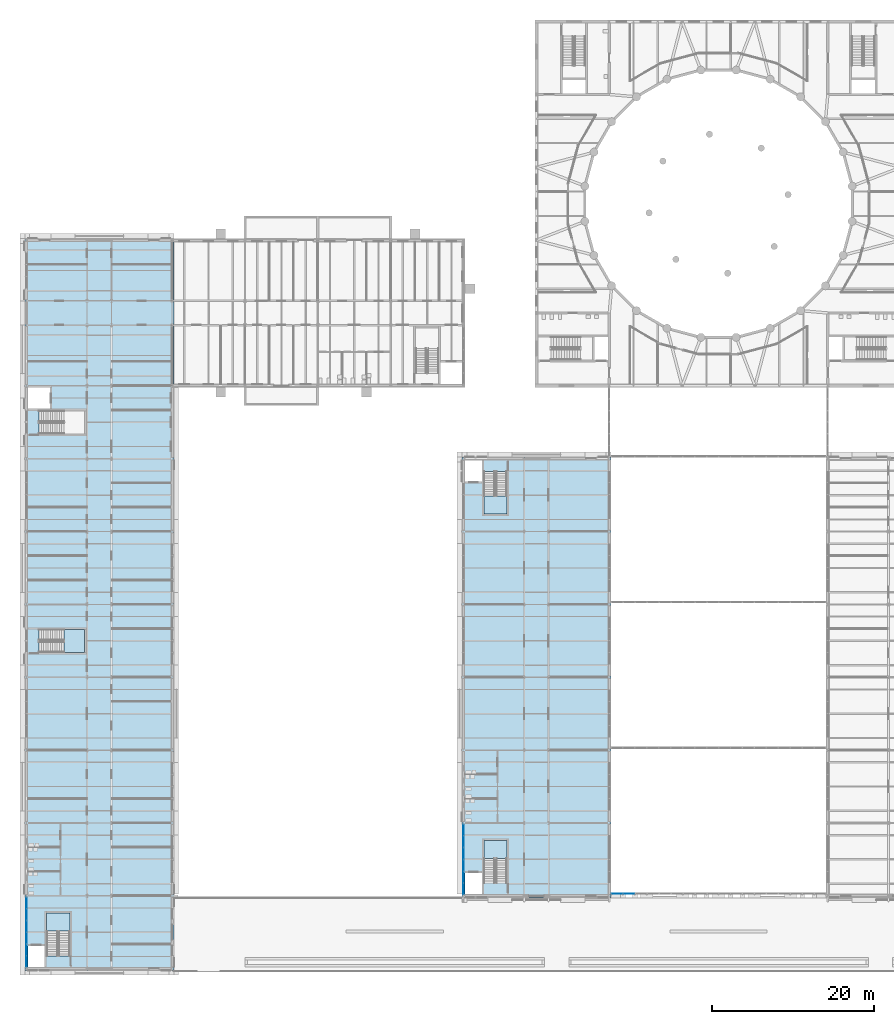
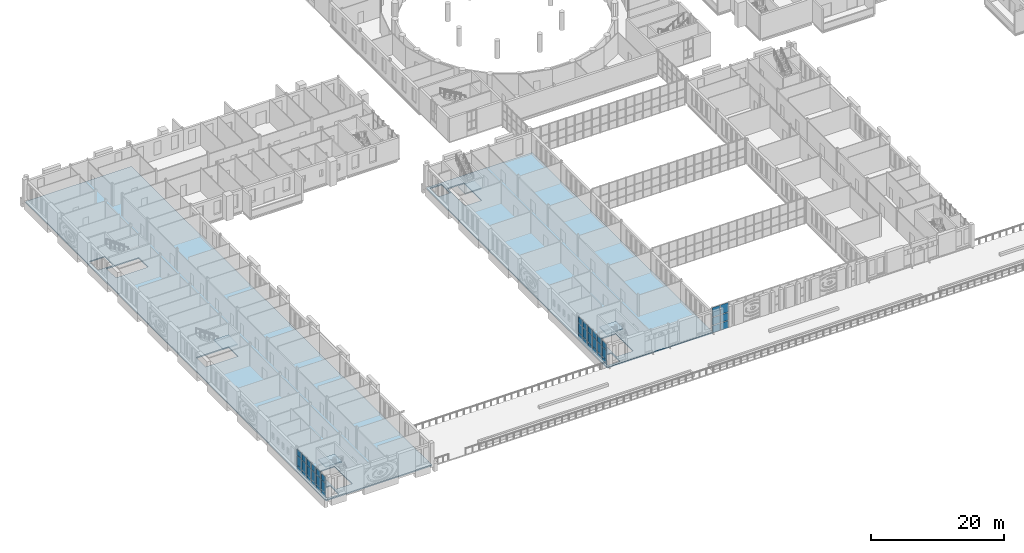
# One storey, part 56 of 134: 42 plates, 6 slabs, 7 elements without a shape of their own.
"""IFC4 building model written with IfcOpenShell, lengths in metres."""

import ifcopenshell
import ifcopenshell.guid

model = None  # the IFC model being written
_history = None  # IfcOwnerHistory: only IFC2X3 demands one
_inside = {}  # id of a spatial element -> (the spatial element, [elements in it])
_under = {}  # id of a project, library or spatial element -> (it, [spatial elements below it])
_declared = {}  # id of a project -> (the project, [libraries it declares])
_typed = {}  # id of a type object -> (the type object, [elements of that type])
_made_of = {}  # id of a material, layer set ... -> (it, [elements and type objects made of it])


def new_model(schema):
    """Start an empty IFC model of exactly this schema.

    Asked for "IFC4X3", IfcOpenShell would pick the latest addendum, in which some entities
    have other attributes; the version numbers below select the first issue.
    IFC2X3 requires an IfcOwnerHistory on every rooted entity: one is made here for all.
    """
    global model, _history
    if schema == "IFC4X3":
        model = ifcopenshell.file(schema_version=(4, 3, 0, 0))
    else:
        model = ifcopenshell.file(schema=schema)
    _inside.clear()
    _under.clear()
    _declared.clear()
    _typed.clear()
    _made_of.clear()
    _history = None
    if model.schema == "IFC2X3":
        org = make("IfcOrganization", Name="unknown")
        user = make(
            "IfcPersonAndOrganization",
            ThePerson=make("IfcPerson", FamilyName="unknown"),
            TheOrganization=org,
        )
        app = make(
            "IfcApplication",
            ApplicationDeveloper=org,
            Version="unknown",
            ApplicationFullName="unknown",
            ApplicationIdentifier="unknown",
        )
        _history = make(
            "IfcOwnerHistory",
            OwningUser=user,
            OwningApplication=app,
            ChangeAction="ADDED",
            CreationDate=0,
        )
    return model


def make(cls, **values):
    """One entity of the class cls with the attributes given. An attribute that is None is left unset."""
    return model.create_entity(
        cls, **{name: value for name, value in values.items() if value is not None}
    )


def rooted(cls, **values):
    """An entity with a GlobalId (a new one), such as an element, a storey or a relation."""
    return make(cls, GlobalId=ifcopenshell.guid.new(), OwnerHistory=_history, **values)


def si_unit(unit_type, name, prefix=None):
    """IfcSIUnit, for example si_unit("LENGTHUNIT", "METRE", prefix="MILLI")."""
    return make("IfcSIUnit", UnitType=unit_type, Prefix=prefix, Name=name)


def assignment(units):
    """IfcUnitAssignment: the units of a project."""
    return None if units is None else make("IfcUnitAssignment", Units=units)


def point(xyz):
    """IfcCartesianPoint."""
    return None if xyz is None else make("IfcCartesianPoint", Coordinates=xyz)


def direction(xyz):
    """IfcDirection."""
    return None if xyz is None else make("IfcDirection", DirectionRatios=xyz)


def frame(location, z_axis=None, x_axis=None):
    """IfcAxis2Placement3D, a coordinate frame: its origin and axes. An axis left out is left unset."""
    return make(
        "IfcAxis2Placement3D",
        Location=point(location),
        Axis=direction(z_axis),
        RefDirection=direction(x_axis),
    )


def frame_2d(location, x_axis=None):
    """IfcAxis2Placement2D, a coordinate frame in the plane: its origin and x axis."""
    return make(
        "IfcAxis2Placement2D", Location=point(location), RefDirection=direction(x_axis)
    )


def origin():
    """The frame at (0, 0, 0) with its axes left unset."""
    return frame((0.0, 0.0, 0.0))


def origin_2d():
    """The frame at (0, 0) in the plane with its x axis left unset."""
    return frame_2d((0.0, 0.0))


def place(relative_to, where):
    """IfcLocalPlacement: puts the frame where relative to a parent placement (None: the world)."""
    return make(
        "IfcLocalPlacement", PlacementRelTo=relative_to, RelativePlacement=where
    )


def context(
    kind, dimensions, precision=None, world=None, true_north=None, identifier=None
):
    """IfcGeometricRepresentationContext, for example the 3D "Model" context."""
    return make(
        "IfcGeometricRepresentationContext",
        ContextIdentifier=identifier,
        ContextType=kind,
        CoordinateSpaceDimension=dimensions,
        Precision=precision,
        WorldCoordinateSystem=world,
        TrueNorth=true_north,
    )


def subcontext(parent, identifier, kind, view, scale=None):
    """IfcGeometricRepresentationSubContext, for example "Body" below "Model"."""
    return make(
        "IfcGeometricRepresentationSubContext",
        ContextIdentifier=identifier,
        ContextType=kind,
        ParentContext=parent,
        TargetScale=scale,
        TargetView=view,
    )


def project(units=None, contexts=None):
    """IfcProject with its units and contexts."""
    return rooted(
        "IfcProject",
        Name="project",
        RepresentationContexts=contexts,
        UnitsInContext=assignment(units),
    )


def spatial(cls, under=None, at=None, **own):
    """A site, building, storey or space (cls), placed at a placement, below another one or the project."""
    s = rooted(cls, ObjectPlacement=at, **own)
    if under is not None:
        _under.setdefault(under.id(), (under, []))[1].append(s)
    return s


def polyline(points):
    """IfcPolyline through the points."""
    return make("IfcPolyline", Points=[point(p) for p in points])


def profile(cls, at=None, kind="AREA", **sizes):
    """A parametric profile (cls). Its sizes go by their IFC names, for example OverallWidth=200.0."""
    return make(cls, ProfileType=kind, Position=at, **sizes)


def rectangle(**sizes):
    """IfcRectangleProfileDef."""
    return profile("IfcRectangleProfileDef", **sizes)


def outline(outer, holes=None, kind="AREA"):
    """IfcArbitraryClosedProfileDef: a profile drawn as a closed curve; with holes, ...WithVoids."""
    if holes is None:
        return make("IfcArbitraryClosedProfileDef", ProfileType=kind, OuterCurve=outer)
    return make(
        "IfcArbitraryProfileDefWithVoids",
        ProfileType=kind,
        OuterCurve=outer,
        InnerCurves=holes,
    )


def extrude(swept, where, along, depth):
    """IfcExtrudedAreaSolid: the profile swept, set in the frame where, extruded along a direction by depth."""
    return make(
        "IfcExtrudedAreaSolid",
        SweptArea=swept,
        Position=where,
        ExtrudedDirection=direction(along),
        Depth=depth,
    )


def shape(context_of_items, identifier, shape_type, items):
    """IfcShapeRepresentation: the items that make up one representation, for example the "Body"."""
    return make(
        "IfcShapeRepresentation",
        ContextOfItems=context_of_items,
        RepresentationIdentifier=identifier,
        RepresentationType=shape_type,
        Items=items,
    )


def material(Name=None, Category=None):
    """IfcMaterial."""
    return make("IfcMaterial", Name=Name, Category=Category)


def layer(
    of_material, thickness, ventilated=None, Name=None, Category=None, Priority=None
):
    """IfcMaterialLayer: one layer of a wall or slab, of a material (None: an air gap)."""
    return make(
        "IfcMaterialLayer",
        Material=of_material,
        LayerThickness=thickness,
        IsVentilated=ventilated,
        Name=Name,
        Category=Category,
        Priority=Priority,
    )


def layer_set(layers, Name=None):
    """IfcMaterialLayerSet."""
    return make("IfcMaterialLayerSet", MaterialLayers=layers, LayerSetName=Name)


def made_of(thing, what):
    """Note that an element or type object is made of a material, layer set ...; save() writes the relation."""
    if what is not None:
        _made_of.setdefault(what.id(), (what, []))[1].append(thing)
    return thing


def type_object(cls, material=None, **own):
    """A type object (cls), such as IfcWallType, which elements share."""
    return made_of(rooted(cls, **own), material)


def element(
    cls,
    number,
    at=None,
    inside=None,
    cuts=None,
    type_object=None,
    material=None,
    context=None,
    identifier="Body",
    shape_type=None,
    held_by="IfcProductDefinitionShape",
    body=None,
    shapes=None,
    **own,
):
    """One element of the class cls, such as IfcWall. Its Tag is "e" and its number.

    at: its placement. inside: the storey or other place that contains it. cuts: it is an
    opening in that element (IfcRelVoidsElement). A single representation is given by context,
    identifier, shape_type and body (its items); several are given by shapes. held_by: the class
    of the entity that holds the representations. save() writes the other relations.
    """
    e = rooted(cls, Tag="e%d" % number, ObjectPlacement=at, **own)
    if body is not None:
        shapes = [shape(context, identifier, shape_type, body)]
    if shapes is not None:
        e.Representation = make(held_by, Representations=shapes)
    if inside is not None:
        _inside.setdefault(inside.id(), (inside, []))[1].append(e)
    if cuts is not None:
        rooted(
            "IfcRelVoidsElement", RelatingBuildingElement=cuts, RelatedOpeningElement=e
        )
    if type_object is not None:
        _typed.setdefault(type_object.id(), (type_object, []))[1].append(e)
    return made_of(e, material)


def aggregate(whole, parts):
    """IfcRelAggregates: a whole, such as a stair, and the parts it consists of."""
    return rooted("IfcRelAggregates", RelatingObject=whole, RelatedObjects=parts)


def save(model, path):
    """Write the relations noted so far, then the file.

    IfcRelAggregates (storeys below a building ...), IfcRelContainedInSpatialStructure (elements
    in a storey), IfcRelDefinesByType, IfcRelAssociatesMaterial and IfcRelDeclares: one each for
    every whole, place, type object, material and project.
    """
    for whole, parts in _under.values():
        aggregate(whole, parts)
    for where, things in _inside.values():
        rooted(
            "IfcRelContainedInSpatialStructure",
            RelatedElements=things,
            RelatingStructure=where,
        )
    for kind, things in _typed.values():
        rooted("IfcRelDefinesByType", RelatedObjects=things, RelatingType=kind)
    for what, things in _made_of.values():
        rooted("IfcRelAssociatesMaterial", RelatedObjects=things, RelatingMaterial=what)
    for by, libraries in _declared.values():
        rooted("IfcRelDeclares", RelatingContext=by, RelatedDefinitions=libraries)
    model.write(path)


model = new_model("IFC4")

# Units and contexts
model_context = context("Model", 3, precision=1e-05, world=origin(), true_north=direction((0.0, 1.0)))
body_context = subcontext(model_context, "Body", "Model", "MODEL_VIEW")
ifc_project = project(units=[si_unit("LENGTHUNIT", "METRE"), si_unit("AREAUNIT", "SQUARE_METRE"), si_unit("VOLUMEUNIT", "CUBIC_METRE"), si_unit("PLANEANGLEUNIT", "RADIAN"), si_unit("MASSUNIT", "GRAM", prefix="KILO")], contexts=[model_context])

# Site, building, storey
site_placement = place(None, origin())
site = spatial("IfcSite", under=ifc_project, at=site_placement, CompositionType="ELEMENT")
building_placement = place(site_placement, origin())
building = spatial("IfcBuilding", under=site, at=building_placement, Name="Golden Quay Civic Hall", CompositionType="ELEMENT")
storey_placement = place(building_placement, frame((0.0, 0.0, 5.39990234375)))
storey = spatial("IfcBuildingStorey", under=building, at=storey_placement, Name="L01", CompositionType="ELEMENT", Elevation=5.39990234375)

# Slabs
ifc_material_1 = material(Name="Concrete C35/45", Category="concrete")
ifc_layer_1 = layer(ifc_material_1, 0.199951171875)
ifc_layer_set_1 = layer_set([ifc_layer_1], Name="Composite floor 200")
slab_type_1 = type_object("IfcSlabType", Name="Composite floor 200", PredefinedType="FLOOR", material=ifc_layer_set_1)
slab_1_placement = place(storey_placement, frame((0.0, 0.0, -0.199951171875)))
element("IfcSlab", 1, at=slab_1_placement, inside=storey, type_object=slab_type_1, Name="WO floor L01", PredefinedType="FLOOR", context=body_context, shape_type="SweptSolid", body=[
    extrude(outline(polyline([(18.199951171875, -9.199951171875), (-0.199951171875, -9.199951171875), (-0.199951171875, 81.199951171875), (18.199951171875, 81.199951171875), (18.199951171875, -0.199951171875), (18.199951171875, -9.199951171875)]), holes=[polyline([(5.35009765625, -2.14990234375), (2.5, -2.14990234375), (2.5, -7.445068359375), (5.35009765625, -7.445068359375), (5.35009765625, -2.14990234375)]), polyline([(2.25, -8.800048828125), (2.25, -6.199951171875), (0.199951171875, -6.199951171875), (0.199951171875, -8.800048828125), (2.25, -8.800048828125)]), polyline([(1.554931640625, 57.074951171875), (7.175048828125, 57.074951171875), (7.175048828125, 59.925048828125), (1.554931640625, 59.925048828125), (1.554931640625, 57.074951171875)]), polyline([(0.199951171875, 62.77490234375), (0.199951171875, 60.175048828125), (2.89990234375, 60.175048828125), (2.89990234375, 62.77490234375), (0.199951171875, 62.77490234375)]), polyline([(7.175048828125, 32.925048828125), (1.554931640625, 32.925048828125), (1.554931640625, 30.074951171875), (7.175048828125, 30.074951171875), (7.175048828125, 32.925048828125)])]), origin(), (0.0, 0.0, 1.0), 0.199951171875),
])
slab_2_placement = place(storey_placement, frame((0.0, 0.0, -0.199951171875)))
element("IfcSlab", 2, at=slab_2_placement, inside=storey, type_object=slab_type_1, Name="WM floor L01", PredefinedType="FLOOR", context=body_context, shape_type="SweptSolid", body=[
    extrude(outline(polyline([(53.800048828125, 54.199951171875), (72.199951171875, 54.199951171875), (72.199951171875, -0.199951171875), (53.800048828125, -0.199951171875), (53.800048828125, 54.199951171875)]), holes=[polyline([(59.35009765625, 1.554931640625), (59.35009765625, 6.85009765625), (56.5, 6.85009765625), (56.5, 1.554931640625), (59.35009765625, 1.554931640625)]), polyline([(54.199951171875, 0.199951171875), (56.25, 0.199951171875), (56.25, 2.800048828125), (54.199951171875, 2.800048828125), (54.199951171875, 0.199951171875)]), polyline([(56.5, 52.445068359375), (56.5, 47.14990234375), (59.35009765625, 47.14990234375), (59.35009765625, 52.445068359375), (56.5, 52.445068359375)]), polyline([(56.25, 53.800048828125), (54.199951171875, 53.800048828125), (54.199951171875, 51.199951171875), (56.25, 51.199951171875), (56.25, 53.800048828125)])]), origin(), (0.0, 0.0, 1.0), 0.199951171875),
])

# Stair, slab
ifc_material_2 = material(Name="Concrete C35/45", Category="concrete")
stair_type = type_object("IfcStairType", Name="Concrete stair 1350 wide 24 risers of 187.5", PredefinedType="HALF_TURN_STAIR", material=ifc_material_2)
stair_1_placement = place(storey_placement, origin())
stair_1 = element("IfcStair", 3, at=stair_1_placement, inside=storey, type_object=stair_type, Name="L01 Stair WO-S", PredefinedType="HALF_TURN_STAIR")
ifc_material_3 = material(Name="Concrete C35/45", Category="concrete")
ifc_layer_2 = layer(ifc_material_3, 0.199951171875)
ifc_layer_set_2 = layer_set([ifc_layer_2], Name="Concrete stair landing 200, Concrete C35/45")
slab_type_2 = type_object("IfcSlabType", Name="Concrete stair landing 200", PredefinedType="LANDING", material=ifc_layer_set_2)
slab_3_placement = place(storey_placement, frame((0.0, 0.0, 2.050048828125)))
slab_3 = element("IfcSlab", 4, at=slab_3_placement, type_object=slab_type_2, Name="WO-S landing 1", PredefinedType="LANDING", context=body_context, shape_type="SweptSolid", body=[
    extrude(outline(polyline([(5.35009765625, -4.3701171875), (5.35009765625, -2.14990234375), (2.5, -2.14990234375), (2.5, -4.3701171875), (5.35009765625, -4.3701171875)])), origin(), (0.0, 0.0, 1.0), 0.199951171875),
])
aggregate(stair_1, [slab_3])

stair_2_placement = place(storey_placement, origin())
stair_2 = element("IfcStair", 5, at=stair_2_placement, inside=storey, type_object=stair_type, Name="L01 Stair WO-M", PredefinedType="HALF_TURN_STAIR")
slab_4_placement = place(storey_placement, frame((0.0, 0.0, 2.050048828125)))
slab_4 = element("IfcSlab", 6, at=slab_4_placement, type_object=slab_type_2, Name="WO-M landing 1", PredefinedType="LANDING", context=body_context, shape_type="SweptSolid", body=[
    extrude(outline(polyline([(4.6298828125, 30.074951171875), (7.175048828125, 30.074951171875), (7.175048828125, 32.925048828125), (4.6298828125, 32.925048828125), (4.6298828125, 30.074951171875)])), origin(), (0.0, 0.0, 1.0), 0.199951171875),
])
aggregate(stair_2, [slab_4])

stair_3_placement = place(storey_placement, origin())
stair_3 = element("IfcStair", 7, at=stair_3_placement, inside=storey, type_object=stair_type, Name="L01 Stair WM-S", PredefinedType="HALF_TURN_STAIR")
slab_5_placement = place(storey_placement, frame((0.0, 0.0, 2.050048828125)))
slab_5 = element("IfcSlab", 8, at=slab_5_placement, type_object=slab_type_2, Name="WM-S landing 1", PredefinedType="LANDING", context=body_context, shape_type="SweptSolid", body=[
    extrude(outline(polyline([(59.35009765625, 4.6298828125), (59.35009765625, 6.85009765625), (56.5, 6.85009765625), (56.5, 4.6298828125), (59.35009765625, 4.6298828125)])), origin(), (0.0, 0.0, 1.0), 0.199951171875),
])
aggregate(stair_3, [slab_5])

stair_4_placement = place(storey_placement, origin())
stair_4 = element("IfcStair", 9, at=stair_4_placement, inside=storey, type_object=stair_type, Name="L01 Stair WM-N", PredefinedType="HALF_TURN_STAIR")
slab_6_placement = place(storey_placement, frame((0.0, 0.0, 2.050048828125)))
slab_6 = element("IfcSlab", 10, at=slab_6_placement, type_object=slab_type_2, Name="WM-N landing 1", PredefinedType="LANDING", context=body_context, shape_type="SweptSolid", body=[
    extrude(outline(polyline([(56.5, 49.3701171875), (56.5, 47.14990234375), (59.35009765625, 47.14990234375), (59.35009765625, 49.3701171875), (56.5, 49.3701171875)])), origin(), (0.0, 0.0, 1.0), 0.199951171875),
])
aggregate(stair_4, [slab_6])

# Curtain wall, plates
ifc_material_4 = material(Name="Glass, laminated double glazed", Category="glass")
ifc_layer_3 = layer(ifc_material_4, 0.199951171875)
ifc_layer_set_3 = layer_set([ifc_layer_3], Name="Glazed core strip curtain wall")
curtain_wall_type_1 = type_object("IfcCurtainWallType", Name="Glazed core strip curtain wall", PredefinedType="NOTDEFINED", material=ifc_layer_set_3)
curtain_wall_1_placement = place(storey_placement, origin())
curtain_wall_1 = element("IfcCurtainWall", 11, at=curtain_wall_1_placement, inside=storey, type_object=curtain_wall_type_1, Name="Glazed core strip curtain wall L01 1", PredefinedType="NOTDEFINED")
ifc_material_5 = material(Name="Glass, laminated double glazed", Category="glass")
ifc_layer_4 = layer(ifc_material_5, 0.028076171875)
ifc_layer_set_4 = layer_set([ifc_layer_4], Name="Double glazed curtain wall panel 28")
plate_type_1 = type_object("IfcPlateType", Name="Double glazed curtain wall panel 28", PredefinedType="CURTAIN_PANEL", material=ifc_layer_set_4)
plate_1_placement = place(storey_placement, frame((0.0, -8.110107421875, 0.06005859375), z_axis=(0.0, 0.0, 1.0), x_axis=(0.0, 1.0, 0.0)))
plate_1 = element("IfcPlate", 12, at=plate_1_placement, type_object=plate_type_1, Name="CW2 panel 1.1", PredefinedType="CURTAIN_PANEL", context=body_context, shape_type="SweptSolid", body=[
    extrude(rectangle(XDim=1.360107421875, YDim=0.028076171875, at=origin_2d()), origin(), (0.0, 0.0, 1.0), 0.81005859375),
])
plate_2_placement = place(storey_placement, frame((0.0, -8.110107421875, 0.93017578125), z_axis=(0.0, 0.0, 1.0), x_axis=(0.0, 1.0, 0.0)))
plate_2 = element("IfcPlate", 13, at=plate_2_placement, type_object=plate_type_1, Name="CW2 panel 1.2", PredefinedType="CURTAIN_PANEL", context=body_context, shape_type="SweptSolid", body=[
    extrude(rectangle(XDim=1.360107421875, YDim=0.028076171875, at=origin_2d()), origin(), (0.0, 0.0, 1.0), 1.739990234375),
])
plate_3_placement = place(storey_placement, frame((0.0, -8.110107421875, 2.72998046875), z_axis=(0.0, 0.0, 1.0), x_axis=(0.0, 1.0, 0.0)))
plate_3 = element("IfcPlate", 14, at=plate_3_placement, type_object=plate_type_1, Name="CW2 panel 1.3", PredefinedType="CURTAIN_PANEL", context=body_context, shape_type="SweptSolid", body=[
    extrude(rectangle(XDim=1.360107421875, YDim=0.028076171875, at=origin_2d()), origin(), (0.0, 0.0, 1.0), 1.110107421875),
])
plate_4_placement = place(storey_placement, frame((0.0, -6.675048828125, 0.06005859375), z_axis=(0.0, 0.0, 1.0), x_axis=(0.0, 1.0, 0.0)))
plate_4 = element("IfcPlate", 15, at=plate_4_placement, type_object=plate_type_1, Name="CW2 panel 2.1", PredefinedType="CURTAIN_PANEL", context=body_context, shape_type="SweptSolid", body=[
    extrude(rectangle(XDim=1.389892578125, YDim=0.028076171875, at=origin_2d()), origin(), (0.0, 0.0, 1.0), 0.81005859375),
])
plate_5_placement = place(storey_placement, frame((0.0, -6.675048828125, 0.93017578125), z_axis=(0.0, 0.0, 1.0), x_axis=(0.0, 1.0, 0.0)))
plate_5 = element("IfcPlate", 16, at=plate_5_placement, type_object=plate_type_1, Name="CW2 panel 2.2", PredefinedType="CURTAIN_PANEL", context=body_context, shape_type="SweptSolid", body=[
    extrude(rectangle(XDim=1.389892578125, YDim=0.028076171875, at=origin_2d()), origin(), (0.0, 0.0, 1.0), 1.739990234375),
])
plate_6_placement = place(storey_placement, frame((0.0, -6.675048828125, 2.72998046875), z_axis=(0.0, 0.0, 1.0), x_axis=(0.0, 1.0, 0.0)))
plate_6 = element("IfcPlate", 17, at=plate_6_placement, type_object=plate_type_1, Name="CW2 panel 2.3", PredefinedType="CURTAIN_PANEL", context=body_context, shape_type="SweptSolid", body=[
    extrude(rectangle(XDim=1.389892578125, YDim=0.028076171875, at=origin_2d()), origin(), (0.0, 0.0, 1.0), 1.110107421875),
])
plate_7_placement = place(storey_placement, frame((0.0, -5.22509765625, 0.06005859375), z_axis=(0.0, 0.0, 1.0), x_axis=(0.0, 1.0, 0.0)))
plate_7 = element("IfcPlate", 18, at=plate_7_placement, type_object=plate_type_1, Name="CW2 panel 3.1", PredefinedType="CURTAIN_PANEL", context=body_context, shape_type="SweptSolid", body=[
    extrude(rectangle(XDim=1.389892578125, YDim=0.028076171875, at=origin_2d()), origin(), (0.0, 0.0, 1.0), 0.81005859375),
])
plate_8_placement = place(storey_placement, frame((0.0, -5.22509765625, 0.93017578125), z_axis=(0.0, 0.0, 1.0), x_axis=(0.0, 1.0, 0.0)))
plate_8 = element("IfcPlate", 19, at=plate_8_placement, type_object=plate_type_1, Name="CW2 panel 3.2", PredefinedType="CURTAIN_PANEL", context=body_context, shape_type="SweptSolid", body=[
    extrude(rectangle(XDim=1.389892578125, YDim=0.028076171875, at=origin_2d()), origin(), (0.0, 0.0, 1.0), 1.739990234375),
])
plate_9_placement = place(storey_placement, frame((0.0, -5.22509765625, 2.72998046875), z_axis=(0.0, 0.0, 1.0), x_axis=(0.0, 1.0, 0.0)))
plate_9 = element("IfcPlate", 20, at=plate_9_placement, type_object=plate_type_1, Name="CW2 panel 3.3", PredefinedType="CURTAIN_PANEL", context=body_context, shape_type="SweptSolid", body=[
    extrude(rectangle(XDim=1.389892578125, YDim=0.028076171875, at=origin_2d()), origin(), (0.0, 0.0, 1.0), 1.110107421875),
])
plate_10_placement = place(storey_placement, frame((0.0, -3.77490234375, 0.06005859375), z_axis=(0.0, 0.0, 1.0), x_axis=(0.0, 1.0, 0.0)))
plate_10 = element("IfcPlate", 21, at=plate_10_placement, type_object=plate_type_1, Name="CW2 panel 4.1", PredefinedType="CURTAIN_PANEL", context=body_context, shape_type="SweptSolid", body=[
    extrude(rectangle(XDim=1.389892578125, YDim=0.028076171875, at=origin_2d()), origin(), (0.0, 0.0, 1.0), 0.81005859375),
])
plate_11_placement = place(storey_placement, frame((0.0, -3.77490234375, 0.93017578125), z_axis=(0.0, 0.0, 1.0), x_axis=(0.0, 1.0, 0.0)))
plate_11 = element("IfcPlate", 22, at=plate_11_placement, type_object=plate_type_1, Name="CW2 panel 4.2", PredefinedType="CURTAIN_PANEL", context=body_context, shape_type="SweptSolid", body=[
    extrude(rectangle(XDim=1.389892578125, YDim=0.028076171875, at=origin_2d()), origin(), (0.0, 0.0, 1.0), 1.739990234375),
])
plate_12_placement = place(storey_placement, frame((0.0, -3.77490234375, 2.72998046875), z_axis=(0.0, 0.0, 1.0), x_axis=(0.0, 1.0, 0.0)))
plate_12 = element("IfcPlate", 23, at=plate_12_placement, type_object=plate_type_1, Name="CW2 panel 4.3", PredefinedType="CURTAIN_PANEL", context=body_context, shape_type="SweptSolid", body=[
    extrude(rectangle(XDim=1.389892578125, YDim=0.028076171875, at=origin_2d()), origin(), (0.0, 0.0, 1.0), 1.110107421875),
])
plate_13_placement = place(storey_placement, frame((0.0, -2.324951171875, 0.06005859375), z_axis=(0.0, 0.0, 1.0), x_axis=(0.0, 1.0, 0.0)))
plate_13 = element("IfcPlate", 24, at=plate_13_placement, type_object=plate_type_1, Name="CW2 panel 5.1", PredefinedType="CURTAIN_PANEL", context=body_context, shape_type="SweptSolid", body=[
    extrude(rectangle(XDim=1.389892578125, YDim=0.028076171875, at=origin_2d()), origin(), (0.0, 0.0, 1.0), 0.81005859375),
])
plate_14_placement = place(storey_placement, frame((0.0, -2.324951171875, 0.93017578125), z_axis=(0.0, 0.0, 1.0), x_axis=(0.0, 1.0, 0.0)))
plate_14 = element("IfcPlate", 25, at=plate_14_placement, type_object=plate_type_1, Name="CW2 panel 5.2", PredefinedType="CURTAIN_PANEL", context=body_context, shape_type="SweptSolid", body=[
    extrude(rectangle(XDim=1.389892578125, YDim=0.028076171875, at=origin_2d()), origin(), (0.0, 0.0, 1.0), 1.739990234375),
])
plate_15_placement = place(storey_placement, frame((0.0, -2.324951171875, 2.72998046875), z_axis=(0.0, 0.0, 1.0), x_axis=(0.0, 1.0, 0.0)))
plate_15 = element("IfcPlate", 26, at=plate_15_placement, type_object=plate_type_1, Name="CW2 panel 5.3", PredefinedType="CURTAIN_PANEL", context=body_context, shape_type="SweptSolid", body=[
    extrude(rectangle(XDim=1.389892578125, YDim=0.028076171875, at=origin_2d()), origin(), (0.0, 0.0, 1.0), 1.110107421875),
])
plate_16_placement = place(storey_placement, frame((0.0, -0.889892578125, 0.06005859375), z_axis=(0.0, 0.0, 1.0), x_axis=(0.0, 1.0, 0.0)))
plate_16 = element("IfcPlate", 27, at=plate_16_placement, type_object=plate_type_1, Name="CW2 panel 6.1", PredefinedType="CURTAIN_PANEL", context=body_context, shape_type="SweptSolid", body=[
    extrude(rectangle(XDim=1.360107421875, YDim=0.028076171875, at=origin_2d()), origin(), (0.0, 0.0, 1.0), 0.81005859375),
])
plate_17_placement = place(storey_placement, frame((0.0, -0.889892578125, 0.93017578125), z_axis=(0.0, 0.0, 1.0), x_axis=(0.0, 1.0, 0.0)))
plate_17 = element("IfcPlate", 28, at=plate_17_placement, type_object=plate_type_1, Name="CW2 panel 6.2", PredefinedType="CURTAIN_PANEL", context=body_context, shape_type="SweptSolid", body=[
    extrude(rectangle(XDim=1.360107421875, YDim=0.028076171875, at=origin_2d()), origin(), (0.0, 0.0, 1.0), 1.739990234375),
])
plate_18_placement = place(storey_placement, frame((0.0, -0.889892578125, 2.72998046875), z_axis=(0.0, 0.0, 1.0), x_axis=(0.0, 1.0, 0.0)))
plate_18 = element("IfcPlate", 29, at=plate_18_placement, type_object=plate_type_1, Name="CW2 panel 6.3", PredefinedType="CURTAIN_PANEL", context=body_context, shape_type="SweptSolid", body=[
    extrude(rectangle(XDim=1.360107421875, YDim=0.028076171875, at=origin_2d()), origin(), (0.0, 0.0, 1.0), 1.110107421875),
])
aggregate(curtain_wall_1, [plate_1, plate_2, plate_3, plate_4, plate_5, plate_6, plate_7, plate_8, plate_9, plate_10, plate_11, plate_12, plate_13, plate_14, plate_15, plate_16, plate_17, plate_18])

curtain_wall_2_placement = place(storey_placement, origin())
curtain_wall_2 = element("IfcCurtainWall", 30, at=curtain_wall_2_placement, inside=storey, type_object=curtain_wall_type_1, Name="Glazed core strip curtain wall L01 3", PredefinedType="NOTDEFINED")
plate_19_placement = place(storey_placement, frame((54.0, 0.87744140625, 0.06005859375), z_axis=(0.0, 0.0, 1.0), x_axis=(0.0, 1.0, 0.0)))
plate_19 = element("IfcPlate", 31, at=plate_19_placement, type_object=plate_type_1, Name="CW2 panel 1.1", PredefinedType="CURTAIN_PANEL", context=body_context, shape_type="SweptSolid", body=[
    extrude(rectangle(XDim=1.364990234375, YDim=0.028076171875, at=origin_2d()), origin(), (0.0, 0.0, 1.0), 0.81005859375),
])
plate_20_placement = place(storey_placement, frame((54.0, 0.87744140625, 0.93017578125), z_axis=(0.0, 0.0, 1.0), x_axis=(0.0, 1.0, 0.0)))
plate_20 = element("IfcPlate", 32, at=plate_20_placement, type_object=plate_type_1, Name="CW2 panel 1.2", PredefinedType="CURTAIN_PANEL", context=body_context, shape_type="SweptSolid", body=[
    extrude(rectangle(XDim=1.364990234375, YDim=0.028076171875, at=origin_2d()), origin(), (0.0, 0.0, 1.0), 1.739990234375),
])
plate_21_placement = place(storey_placement, frame((54.0, 0.87744140625, 2.72998046875), z_axis=(0.0, 0.0, 1.0), x_axis=(0.0, 1.0, 0.0)))
plate_21 = element("IfcPlate", 33, at=plate_21_placement, type_object=plate_type_1, Name="CW2 panel 1.3", PredefinedType="CURTAIN_PANEL", context=body_context, shape_type="SweptSolid", body=[
    extrude(rectangle(XDim=1.364990234375, YDim=0.028076171875, at=origin_2d()), origin(), (0.0, 0.0, 1.0), 1.110107421875),
])
plate_22_placement = place(storey_placement, frame((54.0, 2.3173828125, 0.06005859375), z_axis=(0.0, 0.0, 1.0), x_axis=(0.0, 1.0, 0.0)))
plate_22 = element("IfcPlate", 34, at=plate_22_placement, type_object=plate_type_1, Name="CW2 panel 2.1", PredefinedType="CURTAIN_PANEL", context=body_context, shape_type="SweptSolid", body=[
    extrude(rectangle(XDim=1.39501953125, YDim=0.028076171875, at=origin_2d()), origin(), (0.0, 0.0, 1.0), 0.81005859375),
])
plate_23_placement = place(storey_placement, frame((54.0, 2.3173828125, 0.93017578125), z_axis=(0.0, 0.0, 1.0), x_axis=(0.0, 1.0, 0.0)))
plate_23 = element("IfcPlate", 35, at=plate_23_placement, type_object=plate_type_1, Name="CW2 panel 2.2", PredefinedType="CURTAIN_PANEL", context=body_context, shape_type="SweptSolid", body=[
    extrude(rectangle(XDim=1.39501953125, YDim=0.028076171875, at=origin_2d()), origin(), (0.0, 0.0, 1.0), 1.739990234375),
])
plate_24_placement = place(storey_placement, frame((54.0, 2.3173828125, 2.72998046875), z_axis=(0.0, 0.0, 1.0), x_axis=(0.0, 1.0, 0.0)))
plate_24 = element("IfcPlate", 36, at=plate_24_placement, type_object=plate_type_1, Name="CW2 panel 2.3", PredefinedType="CURTAIN_PANEL", context=body_context, shape_type="SweptSolid", body=[
    extrude(rectangle(XDim=1.39501953125, YDim=0.028076171875, at=origin_2d()), origin(), (0.0, 0.0, 1.0), 1.110107421875),
])
plate_25_placement = place(storey_placement, frame((54.0, 3.7724609375, 0.06005859375), z_axis=(0.0, 0.0, 1.0), x_axis=(0.0, 1.0, 0.0)))
plate_25 = element("IfcPlate", 37, at=plate_25_placement, type_object=plate_type_1, Name="CW2 panel 3.1", PredefinedType="CURTAIN_PANEL", context=body_context, shape_type="SweptSolid", body=[
    extrude(rectangle(XDim=1.39501953125, YDim=0.028076171875, at=origin_2d()), origin(), (0.0, 0.0, 1.0), 0.81005859375),
])
plate_26_placement = place(storey_placement, frame((54.0, 3.7724609375, 0.93017578125), z_axis=(0.0, 0.0, 1.0), x_axis=(0.0, 1.0, 0.0)))
plate_26 = element("IfcPlate", 38, at=plate_26_placement, type_object=plate_type_1, Name="CW2 panel 3.2", PredefinedType="CURTAIN_PANEL", context=body_context, shape_type="SweptSolid", body=[
    extrude(rectangle(XDim=1.39501953125, YDim=0.028076171875, at=origin_2d()), origin(), (0.0, 0.0, 1.0), 1.739990234375),
])
plate_27_placement = place(storey_placement, frame((54.0, 3.7724609375, 2.72998046875), z_axis=(0.0, 0.0, 1.0), x_axis=(0.0, 1.0, 0.0)))
plate_27 = element("IfcPlate", 39, at=plate_27_placement, type_object=plate_type_1, Name="CW2 panel 3.3", PredefinedType="CURTAIN_PANEL", context=body_context, shape_type="SweptSolid", body=[
    extrude(rectangle(XDim=1.39501953125, YDim=0.028076171875, at=origin_2d()), origin(), (0.0, 0.0, 1.0), 1.110107421875),
])
plate_28_placement = place(storey_placement, frame((54.0, 5.2275390625, 0.06005859375), z_axis=(0.0, 0.0, 1.0), x_axis=(0.0, 1.0, 0.0)))
plate_28 = element("IfcPlate", 40, at=plate_28_placement, type_object=plate_type_1, Name="CW2 panel 4.1", PredefinedType="CURTAIN_PANEL", context=body_context, shape_type="SweptSolid", body=[
    extrude(rectangle(XDim=1.39501953125, YDim=0.028076171875, at=origin_2d()), origin(), (0.0, 0.0, 1.0), 0.81005859375),
])
plate_29_placement = place(storey_placement, frame((54.0, 5.2275390625, 0.93017578125), z_axis=(0.0, 0.0, 1.0), x_axis=(0.0, 1.0, 0.0)))
plate_29 = element("IfcPlate", 41, at=plate_29_placement, type_object=plate_type_1, Name="CW2 panel 4.2", PredefinedType="CURTAIN_PANEL", context=body_context, shape_type="SweptSolid", body=[
    extrude(rectangle(XDim=1.39501953125, YDim=0.028076171875, at=origin_2d()), origin(), (0.0, 0.0, 1.0), 1.739990234375),
])
plate_30_placement = place(storey_placement, frame((54.0, 5.2275390625, 2.72998046875), z_axis=(0.0, 0.0, 1.0), x_axis=(0.0, 1.0, 0.0)))
plate_30 = element("IfcPlate", 42, at=plate_30_placement, type_object=plate_type_1, Name="CW2 panel 4.3", PredefinedType="CURTAIN_PANEL", context=body_context, shape_type="SweptSolid", body=[
    extrude(rectangle(XDim=1.39501953125, YDim=0.028076171875, at=origin_2d()), origin(), (0.0, 0.0, 1.0), 1.110107421875),
])
plate_31_placement = place(storey_placement, frame((54.0, 6.6826171875, 0.06005859375), z_axis=(0.0, 0.0, 1.0), x_axis=(0.0, 1.0, 0.0)))
plate_31 = element("IfcPlate", 43, at=plate_31_placement, type_object=plate_type_1, Name="CW2 panel 5.1", PredefinedType="CURTAIN_PANEL", context=body_context, shape_type="SweptSolid", body=[
    extrude(rectangle(XDim=1.39501953125, YDim=0.028076171875, at=origin_2d()), origin(), (0.0, 0.0, 1.0), 0.81005859375),
])
plate_32_placement = place(storey_placement, frame((54.0, 6.6826171875, 0.93017578125), z_axis=(0.0, 0.0, 1.0), x_axis=(0.0, 1.0, 0.0)))
plate_32 = element("IfcPlate", 44, at=plate_32_placement, type_object=plate_type_1, Name="CW2 panel 5.2", PredefinedType="CURTAIN_PANEL", context=body_context, shape_type="SweptSolid", body=[
    extrude(rectangle(XDim=1.39501953125, YDim=0.028076171875, at=origin_2d()), origin(), (0.0, 0.0, 1.0), 1.739990234375),
])
plate_33_placement = place(storey_placement, frame((54.0, 6.6826171875, 2.72998046875), z_axis=(0.0, 0.0, 1.0), x_axis=(0.0, 1.0, 0.0)))
plate_33 = element("IfcPlate", 45, at=plate_33_placement, type_object=plate_type_1, Name="CW2 panel 5.3", PredefinedType="CURTAIN_PANEL", context=body_context, shape_type="SweptSolid", body=[
    extrude(rectangle(XDim=1.39501953125, YDim=0.028076171875, at=origin_2d()), origin(), (0.0, 0.0, 1.0), 1.110107421875),
])
plate_34_placement = place(storey_placement, frame((54.0, 8.12255859375, 0.06005859375), z_axis=(0.0, 0.0, 1.0), x_axis=(0.0, 1.0, 0.0)))
plate_34 = element("IfcPlate", 46, at=plate_34_placement, type_object=plate_type_1, Name="CW2 panel 6.1", PredefinedType="CURTAIN_PANEL", context=body_context, shape_type="SweptSolid", body=[
    extrude(rectangle(XDim=1.364990234375, YDim=0.028076171875, at=origin_2d()), origin(), (0.0, 0.0, 1.0), 0.81005859375),
])
plate_35_placement = place(storey_placement, frame((54.0, 8.12255859375, 0.93017578125), z_axis=(0.0, 0.0, 1.0), x_axis=(0.0, 1.0, 0.0)))
plate_35 = element("IfcPlate", 47, at=plate_35_placement, type_object=plate_type_1, Name="CW2 panel 6.2", PredefinedType="CURTAIN_PANEL", context=body_context, shape_type="SweptSolid", body=[
    extrude(rectangle(XDim=1.364990234375, YDim=0.028076171875, at=origin_2d()), origin(), (0.0, 0.0, 1.0), 1.739990234375),
])
plate_36_placement = place(storey_placement, frame((54.0, 8.12255859375, 2.72998046875), z_axis=(0.0, 0.0, 1.0), x_axis=(0.0, 1.0, 0.0)))
plate_36 = element("IfcPlate", 48, at=plate_36_placement, type_object=plate_type_1, Name="CW2 panel 6.3", PredefinedType="CURTAIN_PANEL", context=body_context, shape_type="SweptSolid", body=[
    extrude(rectangle(XDim=1.364990234375, YDim=0.028076171875, at=origin_2d()), origin(), (0.0, 0.0, 1.0), 1.110107421875),
])
aggregate(curtain_wall_2, [plate_19, plate_20, plate_21, plate_22, plate_23, plate_24, plate_25, plate_26, plate_27, plate_28, plate_29, plate_30, plate_31, plate_32, plate_33, plate_34, plate_35, plate_36])

ifc_material_6 = material(Name="Glass and aluminium", Category="aluminium")
curtain_wall_type_2 = type_object("IfcCurtainWallType", Name="Glazed curtain wall 1500 module", PredefinedType="NOTDEFINED", material=ifc_material_6)
curtain_wall_3_placement = place(storey_placement, origin())
curtain_wall_3 = element("IfcCurtainWall", 49, at=curtain_wall_3_placement, inside=storey, type_object=curtain_wall_type_2, Name="CW1 curtain wall", PredefinedType="NOTDEFINED")
ifc_material_7 = material(Name="Laminated glass", Category="glass")
ifc_layer_5 = layer(ifc_material_7, 0.028076171875)
ifc_layer_set_5 = layer_set([ifc_layer_5], Name="Laminated glass panel 28")
plate_type_2 = type_object("IfcPlateType", Name="Laminated glass panel 28", PredefinedType="CURTAIN_PANEL", material=ifc_layer_set_5)
plate_37_placement = place(storey_placement, frame((72.968994140625, 0.27001953125, -0.47998046875), z_axis=(0.0, 0.0, 1.0), x_axis=(1.0, 0.0, 0.0)))
plate_37 = element("IfcPlate", 50, at=plate_37_placement, type_object=plate_type_2, Name="CW1 panel 1.1", PredefinedType="CURTAIN_PANEL", context=body_context, shape_type="SweptSolid", body=[
    extrude(rectangle(XDim=1.2978515625, YDim=0.028076171875, at=origin_2d()), origin(), (0.0, 0.0, 1.0), 1.320068359375),
])
plate_38_placement = place(storey_placement, frame((72.968994140625, 0.27001953125, 0.960205078125), z_axis=(0.0, 0.0, 1.0), x_axis=(1.0, 0.0, 0.0)))
plate_38 = element("IfcPlate", 51, at=plate_38_placement, type_object=plate_type_2, Name="CW1 panel 1.2", PredefinedType="CURTAIN_PANEL", context=body_context, shape_type="SweptSolid", body=[
    extrude(rectangle(XDim=1.2978515625, YDim=0.028076171875, at=origin_2d()), origin(), (0.0, 0.0, 1.0), 1.3798828125),
])
plate_39_placement = place(storey_placement, frame((72.968994140625, 0.27001953125, 2.4599609375), z_axis=(0.0, 0.0, 1.0), x_axis=(1.0, 0.0, 0.0)))
plate_39 = element("IfcPlate", 52, at=plate_39_placement, type_object=plate_type_2, Name="CW1 panel 1.3", PredefinedType="CURTAIN_PANEL", context=body_context, shape_type="SweptSolid", body=[
    extrude(rectangle(XDim=1.2978515625, YDim=0.028076171875, at=origin_2d()), origin(), (0.0, 0.0, 1.0), 1.719970703125),
])
plate_40_placement = place(storey_placement, frame((74.416748046875, 0.27001953125, -0.47998046875), z_axis=(0.0, 0.0, 1.0), x_axis=(1.0, 0.0, 0.0)))
plate_40 = element("IfcPlate", 53, at=plate_40_placement, type_object=plate_type_2, Name="CW1 panel 2.1", PredefinedType="CURTAIN_PANEL", context=body_context, shape_type="SweptSolid", body=[
    extrude(rectangle(XDim=1.357666015625, YDim=0.028076171875, at=origin_2d()), origin(), (0.0, 0.0, 1.0), 1.320068359375),
])
plate_41_placement = place(storey_placement, frame((74.416748046875, 0.27001953125, 0.960205078125), z_axis=(0.0, 0.0, 1.0), x_axis=(1.0, 0.0, 0.0)))
plate_41 = element("IfcPlate", 54, at=plate_41_placement, type_object=plate_type_2, Name="CW1 panel 2.2", PredefinedType="CURTAIN_PANEL", context=body_context, shape_type="SweptSolid", body=[
    extrude(rectangle(XDim=1.357666015625, YDim=0.028076171875, at=origin_2d()), origin(), (0.0, 0.0, 1.0), 1.3798828125),
])
plate_42_placement = place(storey_placement, frame((74.416748046875, 0.27001953125, 2.4599609375), z_axis=(0.0, 0.0, 1.0), x_axis=(1.0, 0.0, 0.0)))
plate_42 = element("IfcPlate", 55, at=plate_42_placement, type_object=plate_type_2, Name="CW1 panel 2.3", PredefinedType="CURTAIN_PANEL", context=body_context, shape_type="SweptSolid", body=[
    extrude(rectangle(XDim=1.357666015625, YDim=0.028076171875, at=origin_2d()), origin(), (0.0, 0.0, 1.0), 1.719970703125),
])
aggregate(curtain_wall_3, [plate_37, plate_38, plate_39, plate_40, plate_41, plate_42])

save(model, "model.ifc")
